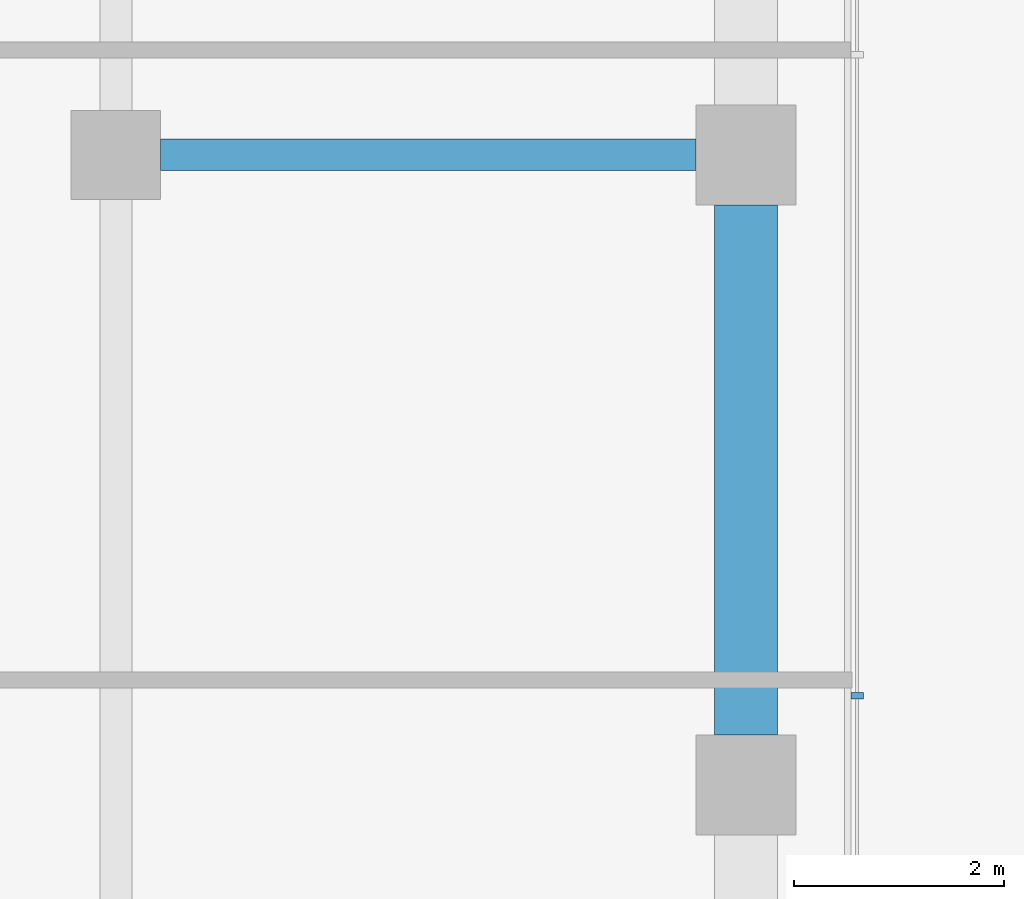
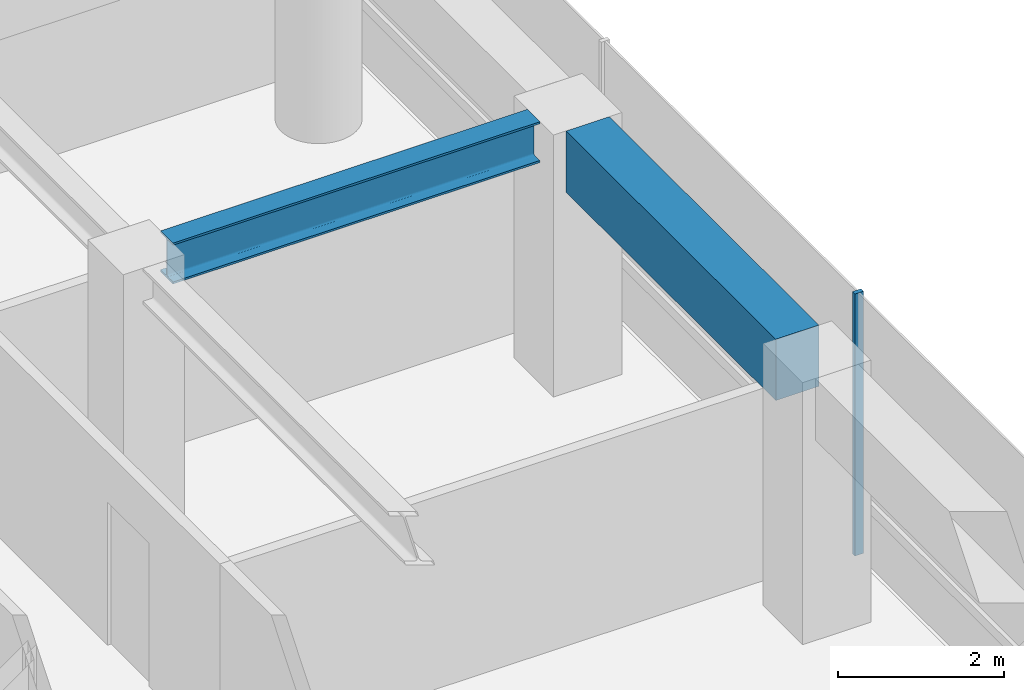
# One storey, part 19 of 29: 2 beams, 1 member, 1 element without a shape of its own.
"""IFC4 building model written with IfcOpenShell, lengths in metres."""

from ifc_helpers import new_model, si_unit, direction, frame, origin, origin_2d, place, context, subcontext, project, spatial, rectangle, i_section, extrude, material, layer, layer_set, material_profile, profile_set, type_object, element, aggregate, save


model = new_model("IFC4")

# Units and contexts
model_context = context("Model", 3, precision=1e-05, world=origin(), true_north=direction((0.0, 1.0)))
body_context = subcontext(model_context, "Body", "Model", "MODEL_VIEW")
ifc_project = project(units=[si_unit("LENGTHUNIT", "METRE"), si_unit("AREAUNIT", "SQUARE_METRE"), si_unit("VOLUMEUNIT", "CUBIC_METRE"), si_unit("PLANEANGLEUNIT", "RADIAN"), si_unit("MASSUNIT", "GRAM", prefix="KILO")], contexts=[model_context])

# Site, building, storey
site_placement = place(None, origin())
site = spatial("IfcSite", under=ifc_project, at=site_placement, CompositionType="ELEMENT")
building_placement = place(site_placement, origin())
building = spatial("IfcBuilding", under=site, at=building_placement, Name="Welwitschia Terrace Campus", CompositionType="ELEMENT")
storey_placement = place(building_placement, frame((0.0, 0.0, 66.800048828125)))
storey = spatial("IfcBuildingStorey", under=building, at=storey_placement, Name="L15", CompositionType="ELEMENT", Elevation=66.800048828125)

# Curtain wall, member
ifc_material_1 = material(Name="Bronze anodised aluminium", Category="aluminium")
ifc_layer = layer(ifc_material_1, 0.1201171875)
ifc_layer_set = layer_set([ifc_layer], Name="Bronze anodised aluminium")
curtain_wall_type = type_object("IfcCurtainWallType", Name="Curtain wall CW2 tower 6000", PredefinedType="NOTDEFINED", material=ifc_layer_set)
curtain_wall_placement = place(storey_placement, origin())
curtain_wall = element("IfcCurtainWall", 1, at=curtain_wall_placement, inside=storey, type_object=curtain_wall_type, Name="CW L15.10.0", PredefinedType="NOTDEFINED")
ifc_material_2 = material(Name="Bronze anodised aluminium", Category="aluminium")
ifc_material_profile_1 = material_profile(ifc_material_2, rectangle(XDim=0.1201171875, YDim=0.06005859375, at=origin_2d()))
ifc_profile_set_1 = profile_set([ifc_material_profile_1], Name="Bronze anodised aluminium")
member_type = type_object("IfcMemberType", Name="Mullion 60x120", PredefinedType="MULLION", material=ifc_profile_set_1)
member_placement = place(storey_placement, frame((25.05810546875, 50.851318359375, 0.0), z_axis=(0.0, 0.0, 1.0), x_axis=(-1.0, 0.0, 0.0)))
member = element("IfcMember", 2, at=member_placement, type_object=member_type, Name="Mullion L15.10.0.4", PredefinedType="MULLION", context=body_context, shape_type="SweptSolid", body=[
    extrude(rectangle(XDim=0.1201171875, YDim=0.06005859375, at=origin_2d()), origin(), (0.0, 0.0, 1.0), 3.849853515625),
])
aggregate(curtain_wall, [member])

# Beams
ifc_material_3 = material(Name="Steel S355", Category="steel")
ifc_material_profile_2 = material_profile(ifc_material_3, i_section(OverallWidth=0.300048828125, OverallDepth=0.60009765625, WebThickness=0.015380859375, FlangeThickness=0.030029296875, FilletRadius=0.027099609375, at=origin_2d()))
ifc_profile_set_2 = profile_set([ifc_material_profile_2], Name="Steel S355")
beam_type_1 = type_object("IfcBeamType", Name="Primary beam HE 600 B", PredefinedType="BEAM", material=ifc_profile_set_2)
beam_1_placement = place(storey_placement, frame((23.5244140625, 56.0, 3.550048828125), z_axis=(-1.0, 0.0, 0.0), x_axis=(0.0, -1.0, 0.0)))
element("IfcBeam", 3, at=beam_1_placement, inside=storey, type_object=beam_type_1, Name="Primary beam PB2", PredefinedType="BEAM", context=body_context, shape_type="SweptSolid", body=[
    extrude(i_section(OverallWidth=0.300048828125, OverallDepth=0.60009765625, WebThickness=0.015380859375, FlangeThickness=0.030029296875, FilletRadius=0.027099609375, at=origin_2d()), origin(), (0.0, 0.0, 1.0), 5.098876953125),
])
ifc_material_4 = material(Name="Concrete C60/75", Category="concrete")
ifc_material_profile_3 = material_profile(ifc_material_4, rectangle(XDim=0.60009765625, YDim=0.89990234375, at=origin_2d()))
ifc_profile_set_3 = profile_set([ifc_material_profile_3], Name="Concrete C60/75")
beam_type_2 = type_object("IfcBeamType", Name="Ring spandrel 600x900", PredefinedType="SPANDREL", material=ifc_profile_set_3)
beam_2_placement = place(storey_placement, frame((24.0, 50.4755859375, 3.39990234375), z_axis=(0.0, 1.0, 0.0), x_axis=(-1.0, 0.0, 0.0)))
element("IfcBeam", 4, at=beam_2_placement, inside=storey, type_object=beam_type_2, Name="Spandrel SP2", PredefinedType="SPANDREL", context=body_context, shape_type="SweptSolid", body=[
    extrude(rectangle(XDim=0.60009765625, YDim=0.89990234375, at=origin_2d()), origin(), (0.0, 0.0, 1.0), 5.048828125),
])

save(model, "model.ifc")
